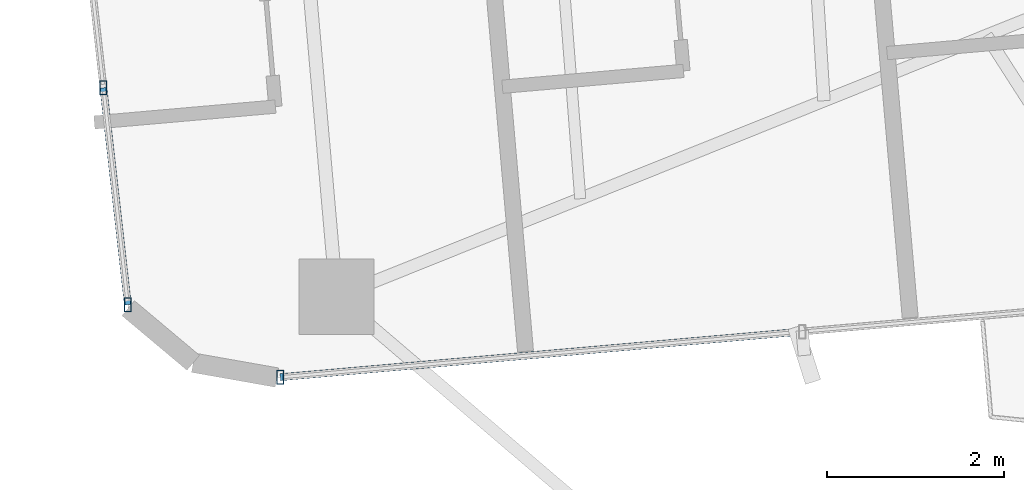
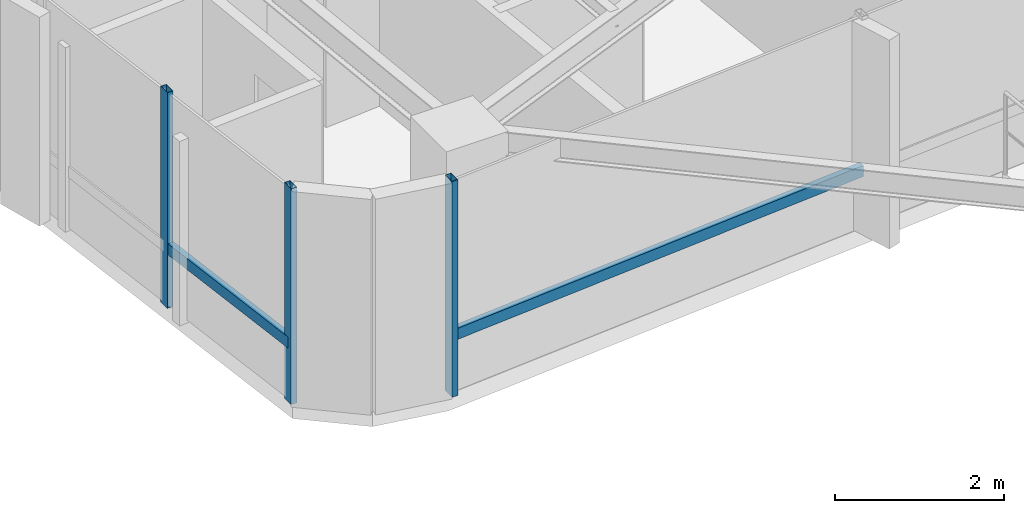
# One storey, part 3 of 24: 5 members, 2 elements without a shape of their own.
"""IFC4 building model written with IfcOpenShell, lengths in metres."""

from ifc_helpers import new_model, si_unit, direction, frame, origin, origin_2d, place, context, subcontext, project, spatial, hollow_rectangle, extrude, source, transform, mapped, material, material_profile, profile_set, type_object, element, aggregate, save


model = new_model("IFC4")

# Units and contexts
model_context = context("Model", 3, precision=1e-05, world=origin(), true_north=direction((0.0, 1.0)))
body_context = subcontext(model_context, "Body", "Model", "MODEL_VIEW")
ifc_project = project(units=[si_unit("LENGTHUNIT", "METRE"), si_unit("AREAUNIT", "SQUARE_METRE"), si_unit("VOLUMEUNIT", "CUBIC_METRE"), si_unit("PLANEANGLEUNIT", "RADIAN"), si_unit("MASSUNIT", "GRAM", prefix="KILO")], contexts=[model_context])

# Site, building, storey
site_placement = place(None, origin())
site = spatial("IfcSite", under=ifc_project, at=site_placement, CompositionType="ELEMENT")
building_placement = place(site_placement, origin())
building = spatial("IfcBuilding", under=site, at=building_placement, Name="Sahyath Konkavel Grand Hotel", CompositionType="ELEMENT")
storey_placement = place(building_placement, frame((0.0, 0.0, 153.949951171875)))
storey = spatial("IfcBuildingStorey", under=building, at=storey_placement, Name="L42", CompositionType="ELEMENT", Elevation=153.949951171875)

# Curtain wall, members
ifc_material_1 = material(Name="Anodised Bronze Aluminium & Low-E Glazing", Category="aluminium")
curtain_wall_type = type_object("IfcCurtainWallType", Name="CW-ZONE3", PredefinedType="NOTDEFINED", material=ifc_material_1)
curtain_wall_1_placement = place(storey_placement, origin())
curtain_wall_1 = element("IfcCurtainWall", 1, at=curtain_wall_1_placement, inside=storey, type_object=curtain_wall_type, Name="L42 Unitised Curtain Wall F20", PredefinedType="NOTDEFINED")
ifc_material_2 = material(Name="Anodised Bronze Aluminium", Category="aluminium")
ifc_material_profile_1 = material_profile(ifc_material_2, hollow_rectangle(XDim=0.080078125, YDim=0.159912109375, WallThickness=0.006103515625, at=origin_2d()), Name="RHS 160x80x6")
ifc_profile_set_1 = profile_set([ifc_material_profile_1], Name="Anodised Bronze Aluminium")
member_type_1 = type_object("IfcMemberType", Name="CW-MUL-160", PredefinedType="MULLION", material=ifc_profile_set_1)
shared_shape_1 = source(origin(), body_context, "Body", "SweptSolid", [
    extrude(hollow_rectangle(XDim=0.080078125, YDim=0.159912109375, WallThickness=0.006103515625, at=origin_2d()), origin(), (0.0, 0.0, 1.0), 3.110107421875),
])
member_1_placement = place(storey_placement, frame((-19.583984375, -4.648193359375, 0.0), z_axis=(0.0, 0.0, 1.0), x_axis=(1.0, 0.0, 0.0)))
member_1 = element("IfcMember", 2, at=member_1_placement, type_object=member_type_1, Name="L42 Curtain Wall Mullion F20-3", PredefinedType="MULLION", context=body_context, shape_type="MappedRepresentation", body=[
    mapped(shared_shape_1, transform((0.0, 0.0, 0.0), scale=1.0)),
])
member_2_placement = place(storey_placement, frame((-19.308349609375, -7.094970703125, 0.0), z_axis=(0.0, 0.0, 1.0), x_axis=(1.0, 0.0, 0.0)))
member_2 = element("IfcMember", 3, at=member_2_placement, type_object=member_type_1, Name="L42 Curtain Wall Mullion F20-4", PredefinedType="MULLION", context=body_context, shape_type="MappedRepresentation", body=[
    mapped(shared_shape_1, transform((0.0, 0.0, 0.0), scale=1.0)),
])

# Curtain wall, member
curtain_wall_2_placement = place(storey_placement, origin())
curtain_wall_2 = element("IfcCurtainWall", 4, at=curtain_wall_2_placement, inside=storey, type_object=curtain_wall_type, Name="L42 Unitised Curtain Wall F23", PredefinedType="NOTDEFINED")
member_3_placement = place(storey_placement, frame((-17.58740234375, -7.912841796875, 0.0), z_axis=(0.0, 0.0, 1.0), x_axis=(1.0, 0.0, 0.0)))
member_3 = element("IfcMember", 5, at=member_3_placement, type_object=member_type_1, Name="L42 Curtain Wall Mullion F23-0", PredefinedType="MULLION", context=body_context, shape_type="MappedRepresentation", body=[
    mapped(shared_shape_1, transform((0.0, 0.0, 0.0), scale=1.0)),
])

# Member
ifc_material_profile_2 = material_profile(ifc_material_2, hollow_rectangle(XDim=0.080078125, YDim=0.159912109375, WallThickness=0.006103515625, at=origin_2d()), Name="RHS 160x80x6")
ifc_profile_set_2 = profile_set([ifc_material_profile_2], Name="Anodised Bronze Aluminium")
member_type_2 = type_object("IfcMemberType", Name="CW-TRN-160", PredefinedType="USERDEFINED", material=ifc_profile_set_2)
shared_shape_2 = source(origin(), body_context, "Body", "SweptSolid", [
    extrude(hollow_rectangle(XDim=0.080078125, YDim=0.159912109375, WallThickness=0.006103515625, at=origin_2d()), origin(), (0.0, 0.0, 1.0), 2.462158203125),
])
member_4_placement = place(storey_placement, frame((-19.583984375, -4.648193359375, 0.85009765625), z_axis=(0.11194409079, -0.993714506555, 0.0), x_axis=(0.993714506555, 0.11194409079, 0.0)))
member_4 = element("IfcMember", 6, at=member_4_placement, type_object=member_type_2, Name="L42 Curtain Wall Transom F20-3-spandrel", ObjectType="TRANSOM", PredefinedType="USERDEFINED", context=body_context, shape_type="MappedRepresentation", body=[
    mapped(shared_shape_2, transform((0.0, 0.0, 0.0), scale=1.0)),
])

aggregate(curtain_wall_1, [member_1, member_2, member_4])

shared_shape_3 = source(origin(), body_context, "Body", "SweptSolid", [
    extrude(hollow_rectangle(XDim=0.080078125, YDim=0.159912109375, WallThickness=0.006103515625, at=origin_2d()), origin(), (0.0, 0.0, 1.0), 5.91015625),
])
member_5_placement = place(storey_placement, frame((-17.58740234375, -7.912841796875, 0.85009765625), z_axis=(0.996197841474, 0.087119806256, 0.0), x_axis=(-0.087119806256, 0.996197841474, 0.0)))
member_5 = element("IfcMember", 7, at=member_5_placement, type_object=member_type_2, Name="L42 Curtain Wall Transom F23-0-spandrel", ObjectType="TRANSOM", PredefinedType="USERDEFINED", context=body_context, shape_type="MappedRepresentation", body=[
    mapped(shared_shape_3, transform((0.0, 0.0, 0.0), scale=1.0)),
])

aggregate(curtain_wall_2, [member_3, member_5])

save(model, "model.ifc")
